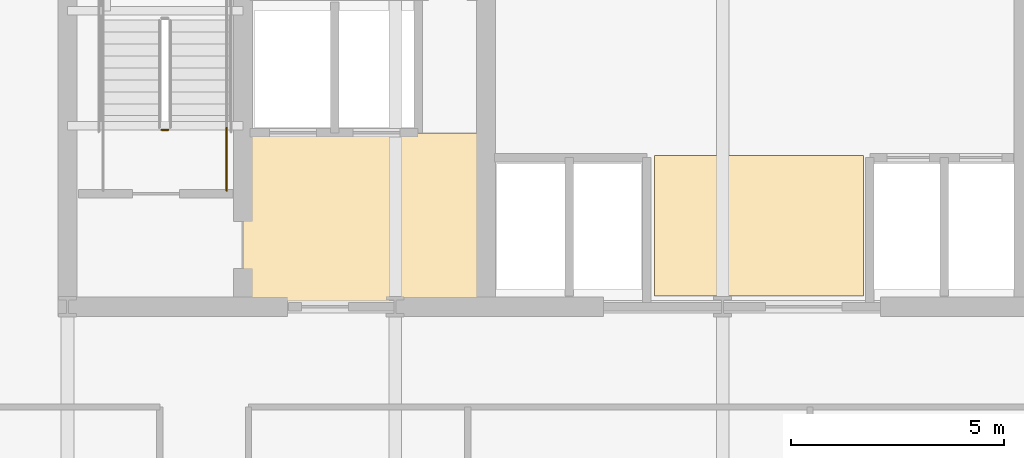
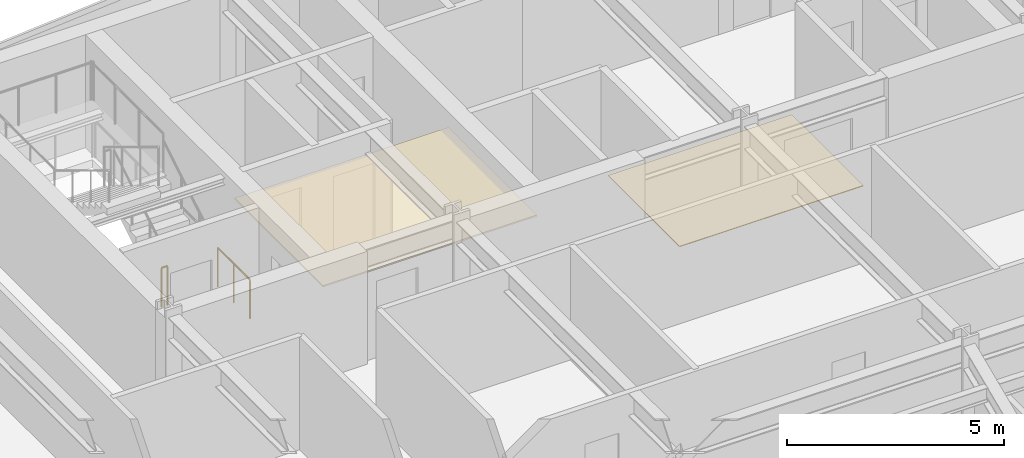
# One storey, part 28 of 32: 2 coverings, 2 railings.
"""IFC4 building model written with IfcOpenShell, lengths in metres."""

from ifc_helpers import new_model, si_unit, direction, frame, origin, origin_2d, place, context, subcontext, project, spatial, polyline, circle, outline, extrude, material, layer, layer_set, type_object, element, save


model = new_model("IFC4")

# Units and contexts
model_context = context("Model", 3, precision=1e-05, world=origin(), true_north=direction((0.0, 1.0)))
body_context = subcontext(model_context, "Body", "Model", "MODEL_VIEW")
ifc_project = project(units=[si_unit("LENGTHUNIT", "METRE"), si_unit("AREAUNIT", "SQUARE_METRE"), si_unit("VOLUMEUNIT", "CUBIC_METRE"), si_unit("PLANEANGLEUNIT", "RADIAN"), si_unit("MASSUNIT", "GRAM", prefix="KILO")], contexts=[model_context])

# Site, building, storey
site_placement = place(None, origin())
site = spatial("IfcSite", under=ifc_project, at=site_placement, CompositionType="ELEMENT")
building_placement = place(site_placement, origin())
building = spatial("IfcBuilding", under=site, at=building_placement, Name="Yelkora Congress Tower", CompositionType="ELEMENT")
storey_placement = place(building_placement, frame((0.0, 0.0, 93.10009765625)))
storey = spatial("IfcBuildingStorey", under=building, at=storey_placement, Name="L24", CompositionType="ELEMENT", Elevation=93.10009765625)

# Coverings
ifc_material_1 = material(Name="Perforated mineral-fibre acoustic ceiling", Category="gypsum")
ifc_layer_1 = layer(ifc_material_1, 0.0400390625)
ifc_layer_set_1 = layer_set([ifc_layer_1], Name="Perforated mineral-fibre acoustic ceiling")
covering_type_1 = type_object("IfcCoveringType", Name="COV-CEIL-ACOUSTIC-40", PredefinedType="CEILING", material=ifc_layer_set_1)
covering_1_placement = place(storey_placement, frame((0.0, 0.0, 2.39990234375)))
element("IfcCovering", 1, at=covering_1_placement, inside=storey, type_object=covering_type_1, Name="L24 Firefighting Lobby Acoustic Ceiling", PredefinedType="CEILING", context=body_context, shape_type="SweptSolid", body=[
    extrude(outline(polyline([(27.14990234375, 35.39990234375), (32.85009765625, 35.39990234375), (32.85009765625, 39.47998046875), (27.14990234375, 39.47998046875), (27.14990234375, 35.39990234375)])), origin(), (0.0, 0.0, 1.0), 0.0400390625),
])
ifc_material_2 = material(Name="Polished Anatolian grey granite tile", Category="masonry")
ifc_layer_2 = layer(ifc_material_2, 0.02001953125)
ifc_layer_set_2 = layer_set([ifc_layer_2], Name="Polished Anatolian grey granite tile")
covering_type_2 = type_object("IfcCoveringType", Name="COV-FLOOR-GRANITE-20", PredefinedType="FLOORING", material=ifc_layer_set_2)
covering_2_placement = place(storey_placement, origin())
element("IfcCovering", 2, at=covering_2_placement, inside=storey, type_object=covering_type_2, Name="L24 Lift Lobby Granite Flooring", PredefinedType="FLOORING", context=body_context, shape_type="SweptSolid", body=[
    extrude(outline(polyline([(36.800048828125, 35.64990234375), (41.699951171875, 35.64990234375), (41.699951171875, 38.949951171875), (36.800048828125, 38.949951171875), (36.800048828125, 35.64990234375)])), origin(), (0.0, 0.0, 1.0), 0.02001953125),
])

# Railings
ifc_material_3 = material(Name="Painted galvanised steel stair well guard with vertical infill", Category="steel")
ifc_layer_3 = layer(ifc_material_3, 0.06005859375)
ifc_layer_set_3 = layer_set([ifc_layer_3], Name="Painted galvanised steel stair well guard with vertical infill")
railing_type = type_object("IfcRailingType", Name="RAIL-STAIR-GUARD-1120", PredefinedType="GUARDRAIL", material=ifc_layer_set_3)
railing_1_placement = place(storey_placement, frame((25.39990234375, 39.550048828125, 0.0)))
element("IfcRailing", 3, at=railing_1_placement, inside=storey, type_object=railing_type, Name="ST-01 L24 Stair Well Guardrail 7", PredefinedType="GUARDRAIL", context=body_context, shape_type="SweptSolid", body=[
    extrude(circle(Radius=0.02392578125, at=origin_2d()), frame((0.0, 0.0, 1.09619140625), z_axis=(-1.0, 0.0, 0.0), x_axis=(0.0, -1.0, 0.0)), (0.0, 0.0, 1.0), 0.159912109375),
    extrude(circle(Radius=0.02099609375, at=origin_2d()), origin(), (0.0, 0.0, 1.0), 1.072021484375),
    extrude(circle(Radius=0.02099609375, at=origin_2d()), frame((-0.159912109375, 0.0, 0.0)), (0.0, 0.0, 1.0), 1.072021484375),
])
railing_2_placement = place(storey_placement, frame((26.77001953125, 38.1201171875, 0.0)))
element("IfcRailing", 4, at=railing_2_placement, inside=storey, type_object=railing_type, Name="ST-01 L24 Stair Well Guardrail 8", PredefinedType="GUARDRAIL", context=body_context, shape_type="SweptSolid", body=[
    extrude(circle(Radius=0.02392578125, at=origin_2d()), frame((0.0, 0.0, 1.09619140625), z_axis=(0.0, 1.0, 0.0), x_axis=(-1.0, 0.0, 0.0)), (0.0, 0.0, 1.0), 1.47998046875),
    extrude(circle(Radius=0.02099609375, at=origin_2d()), origin(), (0.0, 0.0, 1.0), 1.072021484375),
    extrude(circle(Radius=0.02099609375, at=origin_2d()), frame((0.0, 0.739990234375, 0.0)), (0.0, 0.0, 1.0), 1.072021484375),
    extrude(circle(Radius=0.02099609375, at=origin_2d()), frame((0.0, 1.47998046875, 0.0)), (0.0, 0.0, 1.0), 1.072021484375),
])

save(model, "model.ifc")
